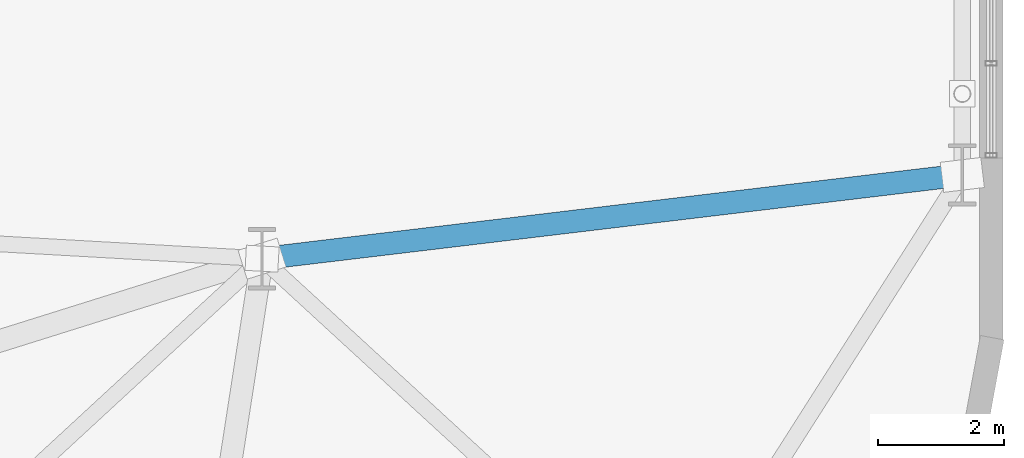
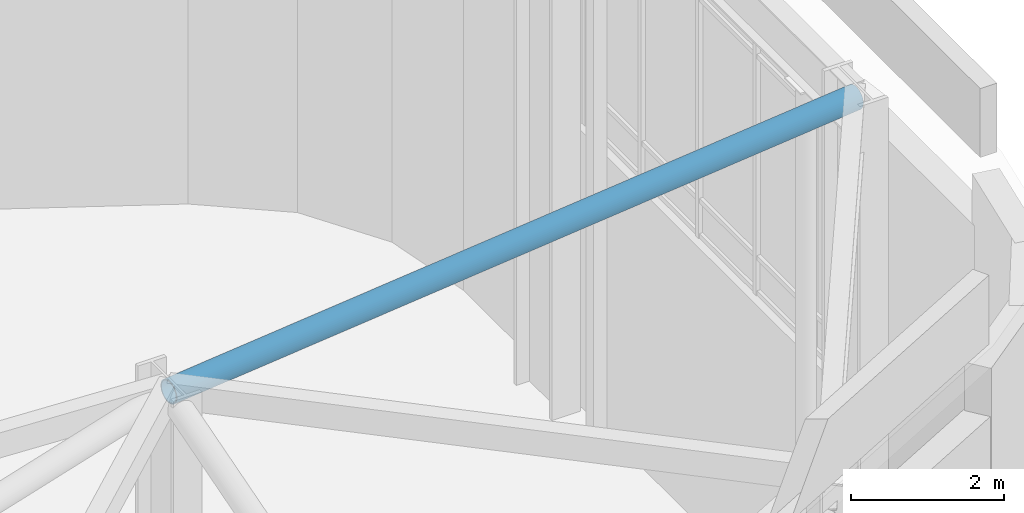
# One storey, part 7 of 23: 1 member.
"""IFC4 building model written with IfcOpenShell, lengths in metres."""

import ifcopenshell
import ifcopenshell.guid

model = None  # the IFC model being written
_history = None  # IfcOwnerHistory: only IFC2X3 demands one
_inside = {}  # id of a spatial element -> (the spatial element, [elements in it])
_under = {}  # id of a project, library or spatial element -> (it, [spatial elements below it])
_declared = {}  # id of a project -> (the project, [libraries it declares])
_typed = {}  # id of a type object -> (the type object, [elements of that type])
_made_of = {}  # id of a material, layer set ... -> (it, [elements and type objects made of it])


def new_model(schema):
    """Start an empty IFC model of exactly this schema.

    Asked for "IFC4X3", IfcOpenShell would pick the latest addendum, in which some entities
    have other attributes; the version numbers below select the first issue.
    IFC2X3 requires an IfcOwnerHistory on every rooted entity: one is made here for all.
    """
    global model, _history
    if schema == "IFC4X3":
        model = ifcopenshell.file(schema_version=(4, 3, 0, 0))
    else:
        model = ifcopenshell.file(schema=schema)
    _inside.clear()
    _under.clear()
    _declared.clear()
    _typed.clear()
    _made_of.clear()
    _history = None
    if model.schema == "IFC2X3":
        org = make("IfcOrganization", Name="unknown")
        user = make(
            "IfcPersonAndOrganization",
            ThePerson=make("IfcPerson", FamilyName="unknown"),
            TheOrganization=org,
        )
        app = make(
            "IfcApplication",
            ApplicationDeveloper=org,
            Version="unknown",
            ApplicationFullName="unknown",
            ApplicationIdentifier="unknown",
        )
        _history = make(
            "IfcOwnerHistory",
            OwningUser=user,
            OwningApplication=app,
            ChangeAction="ADDED",
            CreationDate=0,
        )
    return model


def make(cls, **values):
    """One entity of the class cls with the attributes given. An attribute that is None is left unset."""
    return model.create_entity(
        cls, **{name: value for name, value in values.items() if value is not None}
    )


def rooted(cls, **values):
    """An entity with a GlobalId (a new one), such as an element, a storey or a relation."""
    return make(cls, GlobalId=ifcopenshell.guid.new(), OwnerHistory=_history, **values)


def si_unit(unit_type, name, prefix=None):
    """IfcSIUnit, for example si_unit("LENGTHUNIT", "METRE", prefix="MILLI")."""
    return make("IfcSIUnit", UnitType=unit_type, Prefix=prefix, Name=name)


def assignment(units):
    """IfcUnitAssignment: the units of a project."""
    return None if units is None else make("IfcUnitAssignment", Units=units)


def point(xyz):
    """IfcCartesianPoint."""
    return None if xyz is None else make("IfcCartesianPoint", Coordinates=xyz)


def direction(xyz):
    """IfcDirection."""
    return None if xyz is None else make("IfcDirection", DirectionRatios=xyz)


def frame(location, z_axis=None, x_axis=None):
    """IfcAxis2Placement3D, a coordinate frame: its origin and axes. An axis left out is left unset."""
    return make(
        "IfcAxis2Placement3D",
        Location=point(location),
        Axis=direction(z_axis),
        RefDirection=direction(x_axis),
    )


def frame_2d(location, x_axis=None):
    """IfcAxis2Placement2D, a coordinate frame in the plane: its origin and x axis."""
    return make(
        "IfcAxis2Placement2D", Location=point(location), RefDirection=direction(x_axis)
    )


def origin():
    """The frame at (0, 0, 0) with its axes left unset."""
    return frame((0.0, 0.0, 0.0))


def origin_2d():
    """The frame at (0, 0) in the plane with its x axis left unset."""
    return frame_2d((0.0, 0.0))


def place(relative_to, where):
    """IfcLocalPlacement: puts the frame where relative to a parent placement (None: the world)."""
    return make(
        "IfcLocalPlacement", PlacementRelTo=relative_to, RelativePlacement=where
    )


def context(
    kind, dimensions, precision=None, world=None, true_north=None, identifier=None
):
    """IfcGeometricRepresentationContext, for example the 3D "Model" context."""
    return make(
        "IfcGeometricRepresentationContext",
        ContextIdentifier=identifier,
        ContextType=kind,
        CoordinateSpaceDimension=dimensions,
        Precision=precision,
        WorldCoordinateSystem=world,
        TrueNorth=true_north,
    )


def subcontext(parent, identifier, kind, view, scale=None):
    """IfcGeometricRepresentationSubContext, for example "Body" below "Model"."""
    return make(
        "IfcGeometricRepresentationSubContext",
        ContextIdentifier=identifier,
        ContextType=kind,
        ParentContext=parent,
        TargetScale=scale,
        TargetView=view,
    )


def project(units=None, contexts=None):
    """IfcProject with its units and contexts."""
    return rooted(
        "IfcProject",
        Name="project",
        RepresentationContexts=contexts,
        UnitsInContext=assignment(units),
    )


def spatial(cls, under=None, at=None, **own):
    """A site, building, storey or space (cls), placed at a placement, below another one or the project."""
    s = rooted(cls, ObjectPlacement=at, **own)
    if under is not None:
        _under.setdefault(under.id(), (under, []))[1].append(s)
    return s


def profile(cls, at=None, kind="AREA", **sizes):
    """A parametric profile (cls). Its sizes go by their IFC names, for example OverallWidth=200.0."""
    return make(cls, ProfileType=kind, Position=at, **sizes)


def hollow_circle(**sizes):
    """IfcCircleHollowProfileDef."""
    return profile("IfcCircleHollowProfileDef", **sizes)


def extrude(swept, where, along, depth):
    """IfcExtrudedAreaSolid: the profile swept, set in the frame where, extruded along a direction by depth."""
    return make(
        "IfcExtrudedAreaSolid",
        SweptArea=swept,
        Position=where,
        ExtrudedDirection=direction(along),
        Depth=depth,
    )


def shape(context_of_items, identifier, shape_type, items):
    """IfcShapeRepresentation: the items that make up one representation, for example the "Body"."""
    return make(
        "IfcShapeRepresentation",
        ContextOfItems=context_of_items,
        RepresentationIdentifier=identifier,
        RepresentationType=shape_type,
        Items=items,
    )


def material(Name=None, Category=None):
    """IfcMaterial."""
    return make("IfcMaterial", Name=Name, Category=Category)


def material_profile(
    of_material, cross_section, Name=None, Category=None, Priority=None
):
    """IfcMaterialProfile: a cross section and its material."""
    return make(
        "IfcMaterialProfile",
        Name=Name,
        Material=of_material,
        Profile=cross_section,
        Priority=Priority,
        Category=Category,
    )


def profile_set(profiles, Name=None, composite=None):
    """IfcMaterialProfileSet."""
    return make(
        "IfcMaterialProfileSet",
        Name=Name,
        MaterialProfiles=profiles,
        CompositeProfile=composite,
    )


def made_of(thing, what):
    """Note that an element or type object is made of a material, layer set ...; save() writes the relation."""
    if what is not None:
        _made_of.setdefault(what.id(), (what, []))[1].append(thing)
    return thing


def type_object(cls, material=None, **own):
    """A type object (cls), such as IfcWallType, which elements share."""
    return made_of(rooted(cls, **own), material)


def element(
    cls,
    number,
    at=None,
    inside=None,
    cuts=None,
    type_object=None,
    material=None,
    context=None,
    identifier="Body",
    shape_type=None,
    held_by="IfcProductDefinitionShape",
    body=None,
    shapes=None,
    **own,
):
    """One element of the class cls, such as IfcWall. Its Tag is "e" and its number.

    at: its placement. inside: the storey or other place that contains it. cuts: it is an
    opening in that element (IfcRelVoidsElement). A single representation is given by context,
    identifier, shape_type and body (its items); several are given by shapes. held_by: the class
    of the entity that holds the representations. save() writes the other relations.
    """
    e = rooted(cls, Tag="e%d" % number, ObjectPlacement=at, **own)
    if body is not None:
        shapes = [shape(context, identifier, shape_type, body)]
    if shapes is not None:
        e.Representation = make(held_by, Representations=shapes)
    if inside is not None:
        _inside.setdefault(inside.id(), (inside, []))[1].append(e)
    if cuts is not None:
        rooted(
            "IfcRelVoidsElement", RelatingBuildingElement=cuts, RelatedOpeningElement=e
        )
    if type_object is not None:
        _typed.setdefault(type_object.id(), (type_object, []))[1].append(e)
    return made_of(e, material)


def aggregate(whole, parts):
    """IfcRelAggregates: a whole, such as a stair, and the parts it consists of."""
    return rooted("IfcRelAggregates", RelatingObject=whole, RelatedObjects=parts)


def save(model, path):
    """Write the relations noted so far, then the file.

    IfcRelAggregates (storeys below a building ...), IfcRelContainedInSpatialStructure (elements
    in a storey), IfcRelDefinesByType, IfcRelAssociatesMaterial and IfcRelDeclares: one each for
    every whole, place, type object, material and project.
    """
    for whole, parts in _under.values():
        aggregate(whole, parts)
    for where, things in _inside.values():
        rooted(
            "IfcRelContainedInSpatialStructure",
            RelatedElements=things,
            RelatingStructure=where,
        )
    for kind, things in _typed.values():
        rooted("IfcRelDefinesByType", RelatedObjects=things, RelatingType=kind)
    for what, things in _made_of.values():
        rooted("IfcRelAssociatesMaterial", RelatedObjects=things, RelatingMaterial=what)
    for by, libraries in _declared.values():
        rooted("IfcRelDeclares", RelatingContext=by, RelatedDefinitions=libraries)
    model.write(path)


model = new_model("IFC4")

# Units and contexts
model_context = context("Model", 3, precision=1e-05, world=origin(), true_north=direction((0.0, 1.0)))
body_context = subcontext(model_context, "Body", "Model", "MODEL_VIEW")
ifc_project = project(units=[si_unit("LENGTHUNIT", "METRE"), si_unit("AREAUNIT", "SQUARE_METRE"), si_unit("VOLUMEUNIT", "CUBIC_METRE"), si_unit("PLANEANGLEUNIT", "RADIAN"), si_unit("MASSUNIT", "GRAM", prefix="KILO"), si_unit("THERMODYNAMICTEMPERATUREUNIT", "KELVIN"), si_unit("POWERUNIT", "WATT")], contexts=[model_context])

# Site, building, storey
site_placement = place(None, origin())
site = spatial("IfcSite", under=ifc_project, at=site_placement, CompositionType="ELEMENT")
building_placement = place(site_placement, origin())
building = spatial("IfcBuilding", under=site, at=building_placement, Name="Skarre Station Tower", CompositionType="ELEMENT")
storey_placement = place(building_placement, frame((0.0, 0.0, 291.300048828125)))
storey = spatial("IfcBuildingStorey", under=building, at=storey_placement, Name="RF", CompositionType="ELEMENT", Elevation=291.300048828125)

# Member
ifc_material = material(Name="Steel ASTM A500 Grade C", Category="steel")
ifc_material_profile = material_profile(ifc_material, hollow_circle(Radius=0.177978515625, WallThickness=0.01611328125, at=origin_2d()), Name="Steel ASTM A500 Grade C")
ifc_profile_set = profile_set([ifc_material_profile], Name="Steel ASTM A500 Grade C")
member_type = type_object("IfcMemberType", Name="Steel Truss Brace CHS356X16", PredefinedType="BRACE", material=ifc_profile_set)
member_placement = place(storey_placement, frame((50.56298828125, 19.97900390625, 9.659912109375), z_axis=(-0.99292393128, -0.118752122891, 0.0), x_axis=(0.118752122891, -0.99292393128, 0.0)))
element("IfcMember", 1, at=member_placement, inside=storey, type_object=member_type, Name="RF Crown Roof Diaphragm Brace 11", PredefinedType="BRACE", context=body_context, shape_type="SweptSolid", body=[
    extrude(hollow_circle(Radius=0.177978515625, WallThickness=0.01611328125, at=origin_2d()), origin(), (0.0, 0.0, 1.0), 11.192138671875),
])

save(model, "model.ifc")
